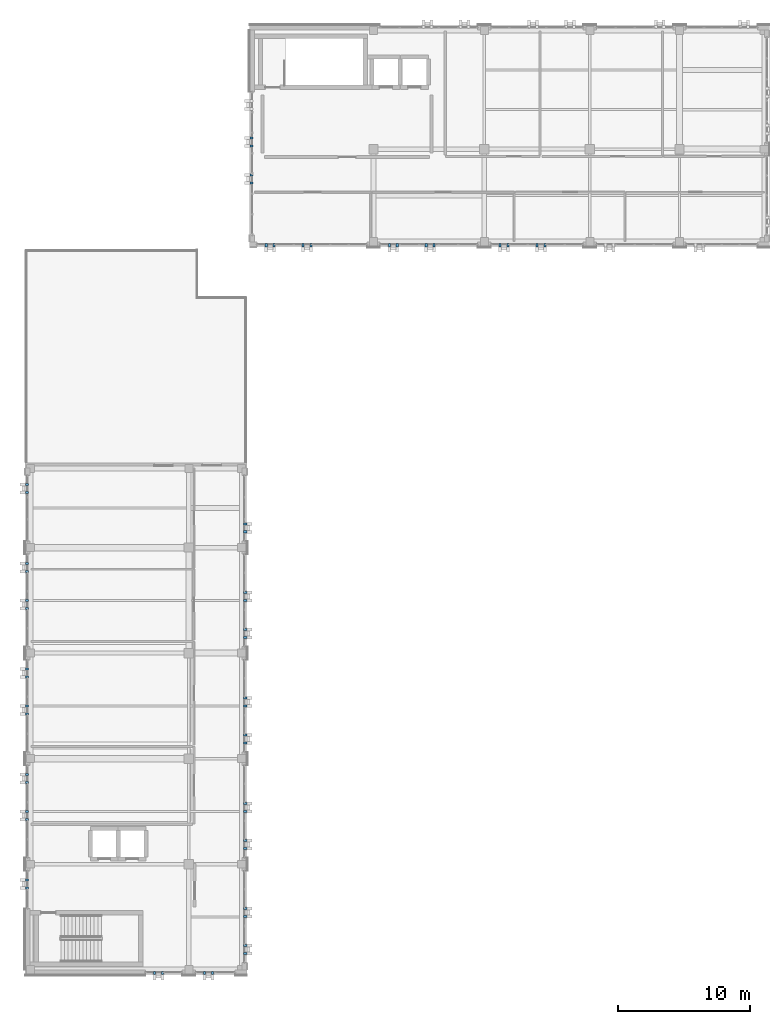
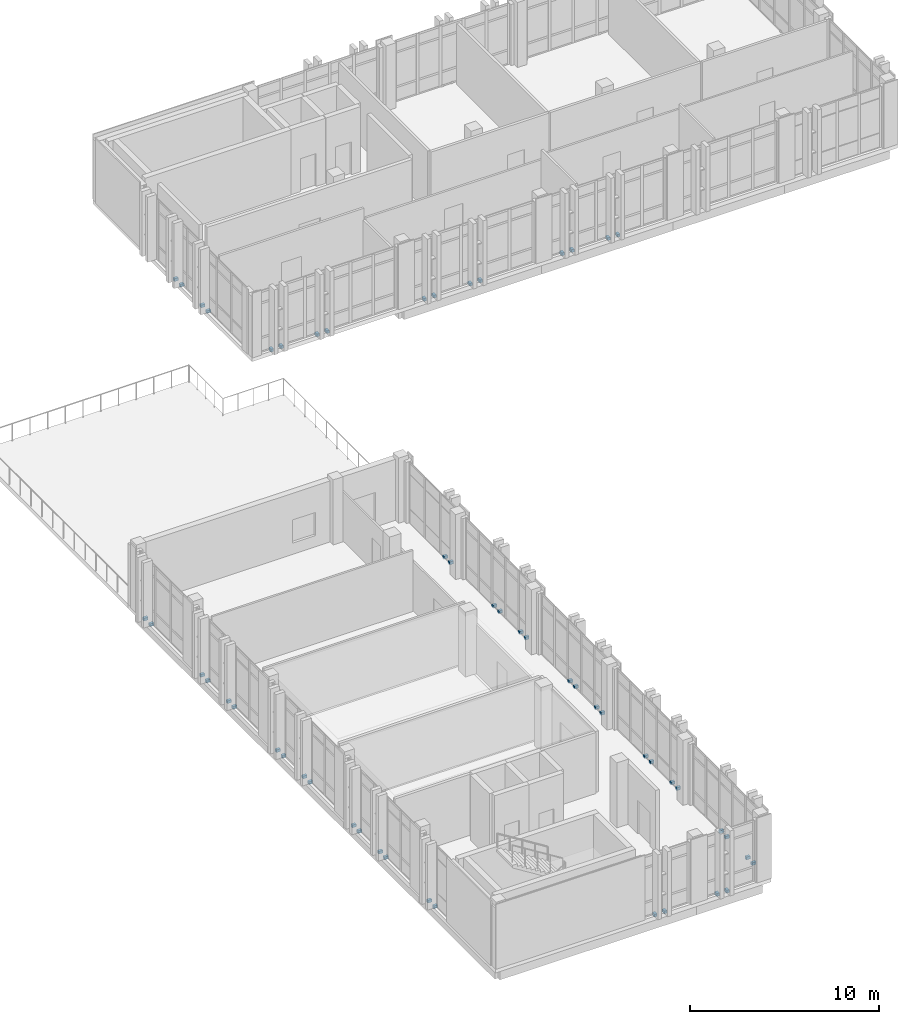
# One storey, part 65 of 77: 54 discrete accessories.
"""IFC4 building model written with IfcOpenShell, lengths in metres."""

from ifc_helpers import new_model, si_unit, direction, frame, origin, origin_2d, place, context, subcontext, project, spatial, rectangle, extrude, material, type_object, element, save


model = new_model("IFC4")

# Units and contexts
model_context = context("Model", 3, precision=1e-05, world=origin(), true_north=direction((0.0, 1.0)))
body_context = subcontext(model_context, "Body", "Model", "MODEL_VIEW")
ifc_project = project(units=[si_unit("LENGTHUNIT", "METRE"), si_unit("AREAUNIT", "SQUARE_METRE"), si_unit("VOLUMEUNIT", "CUBIC_METRE"), si_unit("PLANEANGLEUNIT", "RADIAN"), si_unit("MASSUNIT", "GRAM", prefix="KILO")], contexts=[model_context])

# Site, building, storey
site_placement = place(None, origin())
site = spatial("IfcSite", under=ifc_project, at=site_placement, CompositionType="ELEMENT")
building_placement = place(site_placement, origin())
building = spatial("IfcBuilding", under=site, at=building_placement, Name="Qalavern Law Courts", CompositionType="ELEMENT")
storey_placement = place(building_placement, frame((0.0, 0.0, 27.0)))
storey = spatial("IfcBuildingStorey", under=building, at=storey_placement, Name="L06", CompositionType="ELEMENT", Elevation=27.0)

# Discrete accessories
ifc_material = material(Name="Steel S355", Category="steel")
discrete_accessory_type = type_object("IfcDiscreteAccessoryType", Name="ENV-BRK-FIN", PredefinedType="BRACKET", material=ifc_material)
for number, where, z_axis, x_axis, name in (
    (1, (11.800048828125, 41.14501953125, -0.06982421875), (0.0, 0.0, 1.0), (0.0, -1.0, 0.0), "Stone blade anchor bracket 0459"),
    (2, (12.39990234375, 41.14501953125, -0.06982421875), (0.0, 0.0, 1.0), (0.0, -1.0, 0.0), "Stone blade anchor bracket 0460"),
    (3, (15.60009765625, 41.14501953125, -0.06982421875), (0.0, 0.0, 1.0), (0.0, -1.0, 0.0), "Stone blade anchor bracket 0461"),
    (4, (16.199951171875, 41.14501953125, -0.06982421875), (0.0, 0.0, 1.0), (0.0, -1.0, 0.0), "Stone blade anchor bracket 0462"),
    (5, (18.675048828125, 42.635009765625, -0.06982421875), (0.0, 0.0, 1.0), (1.0, 0.0, 0.0), "Stone blade anchor bracket 0463"),
    (6, (18.675048828125, 43.235107421875, -0.06982421875), (0.0, 0.0, 1.0), (1.0, 0.0, 0.0), "Stone blade anchor bracket 0464"),
    (7, (18.675048828125, 45.43505859375, -0.06982421875), (0.0, 0.0, 1.0), (1.0, 0.0, 0.0), "Stone blade anchor bracket 0465"),
    (8, (18.675048828125, 46.034912109375, -0.06982421875), (0.0, 0.0, 1.0), (1.0, 0.0, 0.0), "Stone blade anchor bracket 0466"),
    (9, (18.675048828125, 50.60009765625, -0.06982421875), (0.0, 0.0, 1.0), (1.0, 0.0, 0.0), "Stone blade anchor bracket 0467"),
    (10, (18.675048828125, 51.199951171875, -0.06982421875), (0.0, 0.0, 1.0), (1.0, 0.0, 0.0), "Stone blade anchor bracket 0468"),
    (11, (18.675048828125, 53.39990234375, -0.06982421875), (0.0, 0.0, 1.0), (1.0, 0.0, 0.0), "Stone blade anchor bracket 0469"),
    (12, (18.675048828125, 54.0, -0.06982421875), (0.0, 0.0, 1.0), (1.0, 0.0, 0.0), "Stone blade anchor bracket 0470"),
    (13, (18.675048828125, 58.60009765625, -0.06982421875), (0.0, 0.0, 1.0), (1.0, 0.0, 0.0), "Stone blade anchor bracket 0471"),
    (14, (18.675048828125, 59.199951171875, -0.06982421875), (0.0, 0.0, 1.0), (1.0, 0.0, 0.0), "Stone blade anchor bracket 0472"),
    (15, (18.675048828125, 61.39990234375, -0.06982421875), (0.0, 0.0, 1.0), (1.0, 0.0, 0.0), "Stone blade anchor bracket 0473"),
    (16, (18.675048828125, 62.0, -0.06982421875), (0.0, 0.0, 1.0), (1.0, 0.0, 0.0), "Stone blade anchor bracket 0474"),
    (17, (18.675048828125, 66.60009765625, -0.06982421875), (0.0, 0.0, 1.0), (1.0, 0.0, 0.0), "Stone blade anchor bracket 0475"),
    (18, (18.675048828125, 67.199951171875, -0.06982421875), (0.0, 0.0, 1.0), (1.0, 0.0, 0.0), "Stone blade anchor bracket 0476"),
    (19, (18.675048828125, 69.39990234375, -0.06982421875), (0.0, 0.0, 1.0), (1.0, 0.0, 0.0), "Stone blade anchor bracket 0477"),
    (20, (18.675048828125, 70.0, -0.06982421875), (0.0, 0.0, 1.0), (1.0, 0.0, 0.0), "Stone blade anchor bracket 0478"),
    (21, (18.675048828125, 74.60009765625, -0.06982421875), (0.0, 0.0, 1.0), (1.0, 0.0, 0.0), "Stone blade anchor bracket 0479"),
    (22, (18.675048828125, 75.199951171875, -0.06982421875), (0.0, 0.0, 1.0), (1.0, 0.0, 0.0), "Stone blade anchor bracket 0480"),
    (23, (2.125, 78.18505859375, -0.06982421875), (0.0, 0.0, 1.0), (-1.0, 0.0, 0.0), "Stone blade anchor bracket 0481"),
    (24, (2.125, 77.5849609375, -0.06982421875), (0.0, 0.0, 1.0), (-1.0, 0.0, 0.0), "Stone blade anchor bracket 0482"),
    (25, (2.125, 72.199951171875, -0.06982421875), (0.0, 0.0, 1.0), (-1.0, 0.0, 0.0), "Stone blade anchor bracket 0483"),
    (26, (2.125, 71.60009765625, -0.06982421875), (0.0, 0.0, 1.0), (-1.0, 0.0, 0.0), "Stone blade anchor bracket 0484"),
    (27, (2.125, 69.39990234375, -0.06982421875), (0.0, 0.0, 1.0), (-1.0, 0.0, 0.0), "Stone blade anchor bracket 0485"),
    (28, (2.125, 68.800048828125, -0.06982421875), (0.0, 0.0, 1.0), (-1.0, 0.0, 0.0), "Stone blade anchor bracket 0486"),
    (29, (2.125, 64.199951171875, -0.06982421875), (0.0, 0.0, 1.0), (-1.0, 0.0, 0.0), "Stone blade anchor bracket 0487"),
    (30, (2.125, 63.60009765625, -0.06982421875), (0.0, 0.0, 1.0), (-1.0, 0.0, 0.0), "Stone blade anchor bracket 0488"),
    (31, (2.125, 61.39990234375, -0.06982421875), (0.0, 0.0, 1.0), (-1.0, 0.0, 0.0), "Stone blade anchor bracket 0489"),
    (32, (2.125, 60.800048828125, -0.06982421875), (0.0, 0.0, 1.0), (-1.0, 0.0, 0.0), "Stone blade anchor bracket 0490"),
    (33, (2.125, 56.199951171875, -0.06982421875), (0.0, 0.0, 1.0), (-1.0, 0.0, 0.0), "Stone blade anchor bracket 0491"),
    (34, (2.125, 55.60009765625, -0.06982421875), (0.0, 0.0, 1.0), (-1.0, 0.0, 0.0), "Stone blade anchor bracket 0492"),
    (35, (2.125, 53.39990234375, -0.06982421875), (0.0, 0.0, 1.0), (-1.0, 0.0, 0.0), "Stone blade anchor bracket 0493"),
    (36, (2.125, 52.800048828125, -0.06982421875), (0.0, 0.0, 1.0), (-1.0, 0.0, 0.0), "Stone blade anchor bracket 0494"),
    (37, (2.125, 48.199951171875, -0.06982421875), (0.0, 0.0, 1.0), (-1.0, 0.0, 0.0), "Stone blade anchor bracket 0495"),
    (38, (2.125, 47.60009765625, -0.06982421875), (0.0, 0.0, 1.0), (-1.0, 0.0, 0.0), "Stone blade anchor bracket 0496"),
    (39, (20.27001953125, 96.324951171875, -0.06982421875), (0.0, 0.0, 1.0), (0.0, -1.0, 0.0), "Stone blade anchor bracket 1155"),
    (40, (20.8701171875, 96.324951171875, -0.06982421875), (0.0, 0.0, 1.0), (0.0, -1.0, 0.0), "Stone blade anchor bracket 1156"),
    (41, (23.070068359375, 96.324951171875, -0.06982421875), (0.0, 0.0, 1.0), (0.0, -1.0, 0.0), "Stone blade anchor bracket 1157"),
    (42, (23.669921875, 96.324951171875, -0.06982421875), (0.0, 0.0, 1.0), (0.0, -1.0, 0.0), "Stone blade anchor bracket 1158"),
    (43, (29.60009765625, 96.324951171875, -0.06982421875), (0.0, 0.0, 1.0), (0.0, -1.0, 0.0), "Stone blade anchor bracket 1159"),
    (44, (30.199951171875, 96.324951171875, -0.06982421875), (0.0, 0.0, 1.0), (0.0, -1.0, 0.0), "Stone blade anchor bracket 1160"),
    (45, (32.39990234375, 96.324951171875, -0.06982421875), (0.0, 0.0, 1.0), (0.0, -1.0, 0.0), "Stone blade anchor bracket 1161"),
    (46, (33.0, 96.324951171875, -0.06982421875), (0.0, 0.0, 1.0), (0.0, -1.0, 0.0), "Stone blade anchor bracket 1162"),
    (47, (38.0, 96.324951171875, -0.06982421875), (0.0, 0.0, 1.0), (0.0, -1.0, 0.0), "Stone blade anchor bracket 1163"),
    (48, (38.60009765625, 96.324951171875, -0.06982421875), (0.0, 0.0, 1.0), (0.0, -1.0, 0.0), "Stone blade anchor bracket 1164"),
    (49, (40.800048828125, 96.324951171875, -0.06982421875), (0.0, 0.0, 1.0), (0.0, -1.0, 0.0), "Stone blade anchor bracket 1165"),
    (50, (41.39990234375, 96.324951171875, -0.06982421875), (0.0, 0.0, 1.0), (0.0, -1.0, 0.0), "Stone blade anchor bracket 1166"),
    (51, (19.14501953125, 104.449951171875, -0.06982421875), (0.0, 0.0, 1.0), (-1.0, 0.0, 0.0), "Stone blade anchor bracket 1191"),
    (52, (19.14501953125, 103.85009765625, -0.06982421875), (0.0, 0.0, 1.0), (-1.0, 0.0, 0.0), "Stone blade anchor bracket 1192"),
    (53, (19.14501953125, 101.64990234375, -0.06982421875), (0.0, 0.0, 1.0), (-1.0, 0.0, 0.0), "Stone blade anchor bracket 1193"),
    (54, (19.14501953125, 101.050048828125, -0.06982421875), (0.0, 0.0, 1.0), (-1.0, 0.0, 0.0), "Stone blade anchor bracket 1194"),
):
    element("IfcDiscreteAccessory", number, at=place(storey_placement, frame(where, z_axis=z_axis, x_axis=x_axis)), inside=storey, type_object=discrete_accessory_type, Name=name, PredefinedType="BRACKET", context=body_context, shape_type="SweptSolid", body=[
        extrude(rectangle(XDim=0.239990234375, YDim=0.159912109375, at=origin_2d()), origin(), (0.0, 0.0, 1.0), 0.179931640625),
    ])

save(model, "model.ifc")
